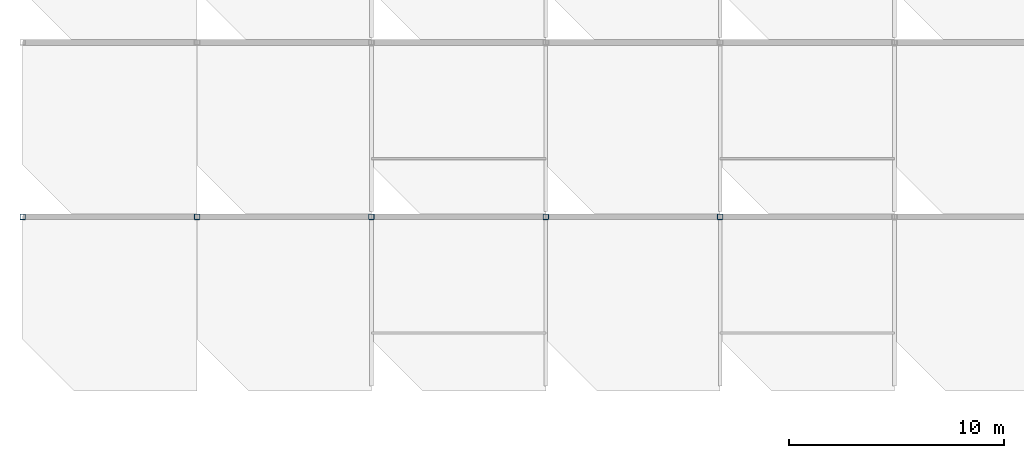
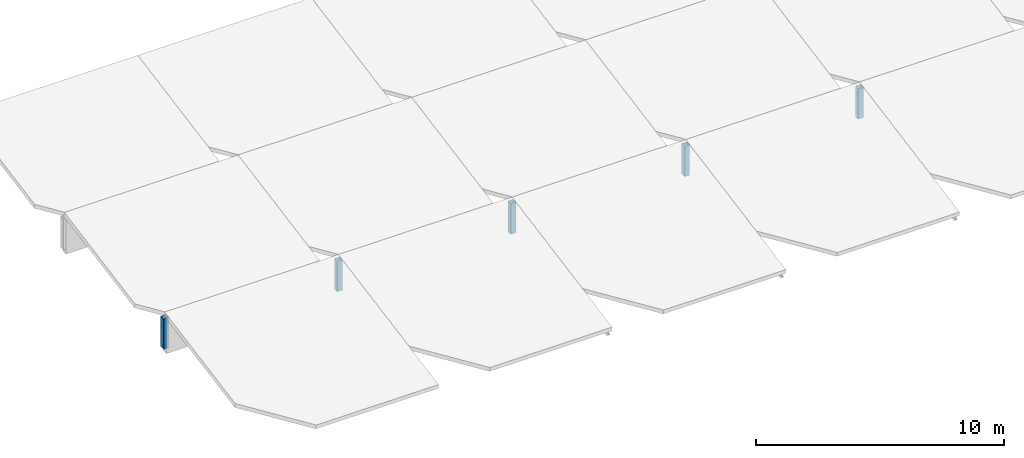
# One storey, part 2 of 33: 5 columns.
"""IFC4 building model written with IfcOpenShell, lengths in metres."""

from ifc_helpers import new_model, si_unit, direction, frame, origin, origin_2d, place, context, subcontext, project, spatial, hollow_rectangle, extrude, material, material_profile, profile_set, type_object, element, save


model = new_model("IFC4")

# Units and contexts
model_context = context("Model", 3, precision=1e-05, world=origin(), true_north=direction((0.0, 1.0)))
body_context = subcontext(model_context, "Body", "Model", "MODEL_VIEW")
ifc_project = project(units=[si_unit("LENGTHUNIT", "METRE"), si_unit("AREAUNIT", "SQUARE_METRE"), si_unit("VOLUMEUNIT", "CUBIC_METRE"), si_unit("PLANEANGLEUNIT", "RADIAN"), si_unit("MASSUNIT", "GRAM", prefix="KILO")], contexts=[model_context])

# Site, building, storey
site_placement = place(None, origin())
site = spatial("IfcSite", under=ifc_project, at=site_placement, CompositionType="ELEMENT")
building_placement = place(site_placement, origin())
building = spatial("IfcBuilding", under=site, at=building_placement, Name="Vaudrelin Polytechnic", CompositionType="ELEMENT")
storey_placement = place(building_placement, frame((0.0, 0.0, 27.3701171875)))
storey = spatial("IfcBuildingStorey", under=building, at=storey_placement, Name="L06", CompositionType="ELEMENT", Elevation=27.3701171875)

# Columns
ifc_material = material(Name="Steel CSA G40.21 350W", Category="steel")
ifc_material_profile = material_profile(ifc_material, hollow_rectangle(XDim=0.25390625, YDim=0.25390625, WallThickness=0.0126953125, InnerFilletRadius=0.0126953125, OuterFilletRadius=0.025390625, at=origin_2d()), Name="HSS254x254x12.7")
ifc_profile_set = profile_set([ifc_material_profile], Name="Steel CSA G40.21 350W")
column_type = type_object("IfcColumnType", Name="COL-C-HSS254", PredefinedType="COLUMN", material=ifc_profile_set)
for number, where, z_axis, x_axis, name in (
    (1, (16.199951171875, 105.300048828125, 0.0), (0.0, 0.0, 1.0), (1.0, 0.0, 0.0), "Sawtooth north clerestory post 2-13"),
    (2, (24.300048828125, 105.300048828125, 0.0), (0.0, 0.0, 1.0), (1.0, 0.0, 0.0), "Sawtooth north clerestory post 3-13"),
    (3, (32.39990234375, 105.300048828125, 0.0), (0.0, 0.0, 1.0), (1.0, 0.0, 0.0), "Sawtooth north clerestory post 4-13"),
    (4, (40.5, 105.300048828125, 0.0), (0.0, 0.0, 1.0), (1.0, 0.0, 0.0), "Sawtooth north clerestory post 5-13"),
    (5, (48.60009765625, 105.300048828125, 0.0), (0.0, 0.0, 1.0), (1.0, 0.0, 0.0), "Sawtooth north clerestory post 6-13"),
):
    element("IfcColumn", number, at=place(storey_placement, frame(where, z_axis=z_axis, x_axis=x_axis)), inside=storey, type_object=column_type, Name=name, PredefinedType="COLUMN", context=body_context, shape_type="SweptSolid", body=[
        extrude(hollow_rectangle(XDim=0.25390625, YDim=0.25390625, WallThickness=0.0126953125, InnerFilletRadius=0.0126953125, OuterFilletRadius=0.025390625, at=origin_2d()), origin(), (0.0, 0.0, 1.0), 1.490966796875),
    ])

save(model, "model.ifc")
